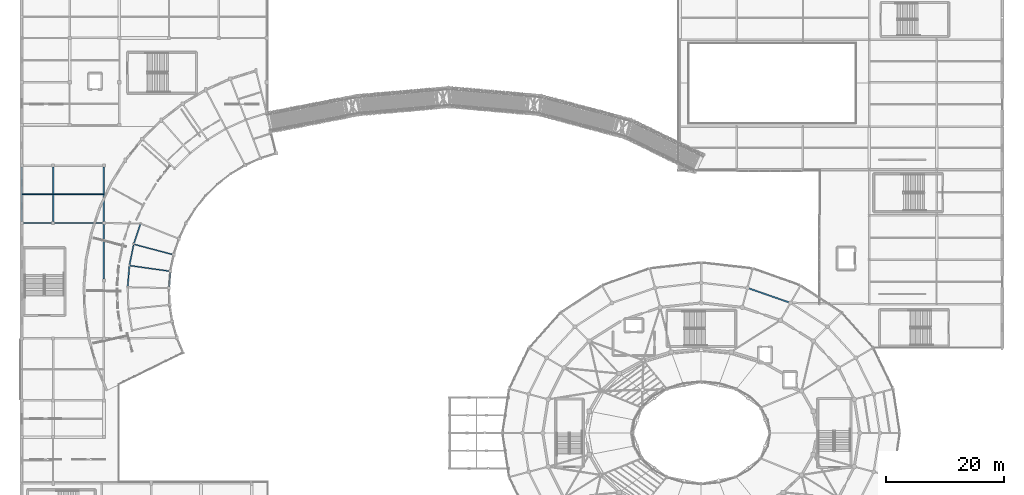
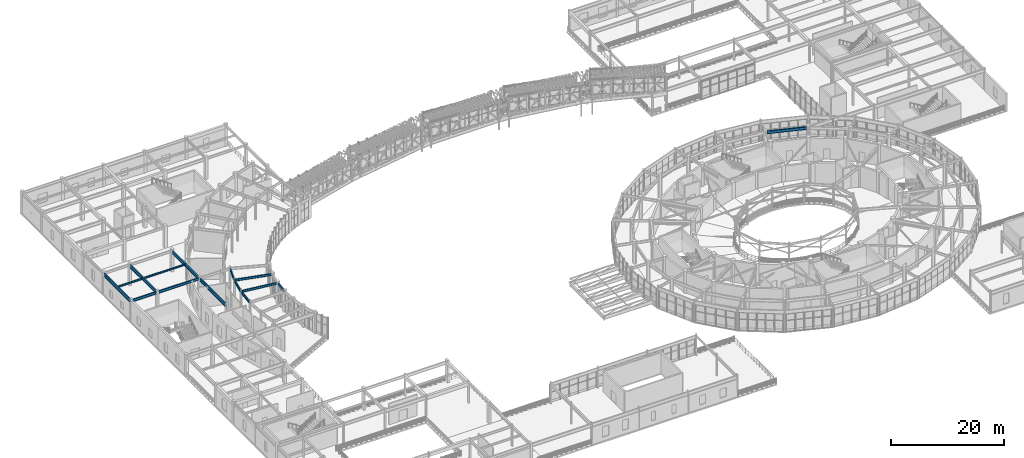
# One storey, part 43 of 144: 15 beams.
"""IFC4 building model written with IfcOpenShell, lengths in metres."""

import ifcopenshell
import ifcopenshell.guid

model = None  # the IFC model being written
_history = None  # IfcOwnerHistory: only IFC2X3 demands one
_inside = {}  # id of a spatial element -> (the spatial element, [elements in it])
_under = {}  # id of a project, library or spatial element -> (it, [spatial elements below it])
_declared = {}  # id of a project -> (the project, [libraries it declares])
_typed = {}  # id of a type object -> (the type object, [elements of that type])
_made_of = {}  # id of a material, layer set ... -> (it, [elements and type objects made of it])


def new_model(schema):
    """Start an empty IFC model of exactly this schema.

    Asked for "IFC4X3", IfcOpenShell would pick the latest addendum, in which some entities
    have other attributes; the version numbers below select the first issue.
    IFC2X3 requires an IfcOwnerHistory on every rooted entity: one is made here for all.
    """
    global model, _history
    if schema == "IFC4X3":
        model = ifcopenshell.file(schema_version=(4, 3, 0, 0))
    else:
        model = ifcopenshell.file(schema=schema)
    _inside.clear()
    _under.clear()
    _declared.clear()
    _typed.clear()
    _made_of.clear()
    _history = None
    if model.schema == "IFC2X3":
        org = make("IfcOrganization", Name="unknown")
        user = make(
            "IfcPersonAndOrganization",
            ThePerson=make("IfcPerson", FamilyName="unknown"),
            TheOrganization=org,
        )
        app = make(
            "IfcApplication",
            ApplicationDeveloper=org,
            Version="unknown",
            ApplicationFullName="unknown",
            ApplicationIdentifier="unknown",
        )
        _history = make(
            "IfcOwnerHistory",
            OwningUser=user,
            OwningApplication=app,
            ChangeAction="ADDED",
            CreationDate=0,
        )
    return model


def make(cls, **values):
    """One entity of the class cls with the attributes given. An attribute that is None is left unset."""
    return model.create_entity(
        cls, **{name: value for name, value in values.items() if value is not None}
    )


def rooted(cls, **values):
    """An entity with a GlobalId (a new one), such as an element, a storey or a relation."""
    return make(cls, GlobalId=ifcopenshell.guid.new(), OwnerHistory=_history, **values)


def si_unit(unit_type, name, prefix=None):
    """IfcSIUnit, for example si_unit("LENGTHUNIT", "METRE", prefix="MILLI")."""
    return make("IfcSIUnit", UnitType=unit_type, Prefix=prefix, Name=name)


def assignment(units):
    """IfcUnitAssignment: the units of a project."""
    return None if units is None else make("IfcUnitAssignment", Units=units)


def point(xyz):
    """IfcCartesianPoint."""
    return None if xyz is None else make("IfcCartesianPoint", Coordinates=xyz)


def direction(xyz):
    """IfcDirection."""
    return None if xyz is None else make("IfcDirection", DirectionRatios=xyz)


def frame(location, z_axis=None, x_axis=None):
    """IfcAxis2Placement3D, a coordinate frame: its origin and axes. An axis left out is left unset."""
    return make(
        "IfcAxis2Placement3D",
        Location=point(location),
        Axis=direction(z_axis),
        RefDirection=direction(x_axis),
    )


def frame_2d(location, x_axis=None):
    """IfcAxis2Placement2D, a coordinate frame in the plane: its origin and x axis."""
    return make(
        "IfcAxis2Placement2D", Location=point(location), RefDirection=direction(x_axis)
    )


def origin():
    """The frame at (0, 0, 0) with its axes left unset."""
    return frame((0.0, 0.0, 0.0))


def origin_2d():
    """The frame at (0, 0) in the plane with its x axis left unset."""
    return frame_2d((0.0, 0.0))


def place(relative_to, where):
    """IfcLocalPlacement: puts the frame where relative to a parent placement (None: the world)."""
    return make(
        "IfcLocalPlacement", PlacementRelTo=relative_to, RelativePlacement=where
    )


def context(
    kind, dimensions, precision=None, world=None, true_north=None, identifier=None
):
    """IfcGeometricRepresentationContext, for example the 3D "Model" context."""
    return make(
        "IfcGeometricRepresentationContext",
        ContextIdentifier=identifier,
        ContextType=kind,
        CoordinateSpaceDimension=dimensions,
        Precision=precision,
        WorldCoordinateSystem=world,
        TrueNorth=true_north,
    )


def subcontext(parent, identifier, kind, view, scale=None):
    """IfcGeometricRepresentationSubContext, for example "Body" below "Model"."""
    return make(
        "IfcGeometricRepresentationSubContext",
        ContextIdentifier=identifier,
        ContextType=kind,
        ParentContext=parent,
        TargetScale=scale,
        TargetView=view,
    )


def project(units=None, contexts=None):
    """IfcProject with its units and contexts."""
    return rooted(
        "IfcProject",
        Name="project",
        RepresentationContexts=contexts,
        UnitsInContext=assignment(units),
    )


def spatial(cls, under=None, at=None, **own):
    """A site, building, storey or space (cls), placed at a placement, below another one or the project."""
    s = rooted(cls, ObjectPlacement=at, **own)
    if under is not None:
        _under.setdefault(under.id(), (under, []))[1].append(s)
    return s


def profile(cls, at=None, kind="AREA", **sizes):
    """A parametric profile (cls). Its sizes go by their IFC names, for example OverallWidth=200.0."""
    return make(cls, ProfileType=kind, Position=at, **sizes)


def rectangle(**sizes):
    """IfcRectangleProfileDef."""
    return profile("IfcRectangleProfileDef", **sizes)


def i_section(**sizes):
    """IfcIShapeProfileDef."""
    return profile("IfcIShapeProfileDef", **sizes)


def extrude(swept, where, along, depth):
    """IfcExtrudedAreaSolid: the profile swept, set in the frame where, extruded along a direction by depth."""
    return make(
        "IfcExtrudedAreaSolid",
        SweptArea=swept,
        Position=where,
        ExtrudedDirection=direction(along),
        Depth=depth,
    )


def shape(context_of_items, identifier, shape_type, items):
    """IfcShapeRepresentation: the items that make up one representation, for example the "Body"."""
    return make(
        "IfcShapeRepresentation",
        ContextOfItems=context_of_items,
        RepresentationIdentifier=identifier,
        RepresentationType=shape_type,
        Items=items,
    )


def material(Name=None, Category=None):
    """IfcMaterial."""
    return make("IfcMaterial", Name=Name, Category=Category)


def material_profile(
    of_material, cross_section, Name=None, Category=None, Priority=None
):
    """IfcMaterialProfile: a cross section and its material."""
    return make(
        "IfcMaterialProfile",
        Name=Name,
        Material=of_material,
        Profile=cross_section,
        Priority=Priority,
        Category=Category,
    )


def profile_set(profiles, Name=None, composite=None):
    """IfcMaterialProfileSet."""
    return make(
        "IfcMaterialProfileSet",
        Name=Name,
        MaterialProfiles=profiles,
        CompositeProfile=composite,
    )


def made_of(thing, what):
    """Note that an element or type object is made of a material, layer set ...; save() writes the relation."""
    if what is not None:
        _made_of.setdefault(what.id(), (what, []))[1].append(thing)
    return thing


def type_object(cls, material=None, **own):
    """A type object (cls), such as IfcWallType, which elements share."""
    return made_of(rooted(cls, **own), material)


def element(
    cls,
    number,
    at=None,
    inside=None,
    cuts=None,
    type_object=None,
    material=None,
    context=None,
    identifier="Body",
    shape_type=None,
    held_by="IfcProductDefinitionShape",
    body=None,
    shapes=None,
    **own,
):
    """One element of the class cls, such as IfcWall. Its Tag is "e" and its number.

    at: its placement. inside: the storey or other place that contains it. cuts: it is an
    opening in that element (IfcRelVoidsElement). A single representation is given by context,
    identifier, shape_type and body (its items); several are given by shapes. held_by: the class
    of the entity that holds the representations. save() writes the other relations.
    """
    e = rooted(cls, Tag="e%d" % number, ObjectPlacement=at, **own)
    if body is not None:
        shapes = [shape(context, identifier, shape_type, body)]
    if shapes is not None:
        e.Representation = make(held_by, Representations=shapes)
    if inside is not None:
        _inside.setdefault(inside.id(), (inside, []))[1].append(e)
    if cuts is not None:
        rooted(
            "IfcRelVoidsElement", RelatingBuildingElement=cuts, RelatedOpeningElement=e
        )
    if type_object is not None:
        _typed.setdefault(type_object.id(), (type_object, []))[1].append(e)
    return made_of(e, material)


def aggregate(whole, parts):
    """IfcRelAggregates: a whole, such as a stair, and the parts it consists of."""
    return rooted("IfcRelAggregates", RelatingObject=whole, RelatedObjects=parts)


def save(model, path):
    """Write the relations noted so far, then the file.

    IfcRelAggregates (storeys below a building ...), IfcRelContainedInSpatialStructure (elements
    in a storey), IfcRelDefinesByType, IfcRelAssociatesMaterial and IfcRelDeclares: one each for
    every whole, place, type object, material and project.
    """
    for whole, parts in _under.values():
        aggregate(whole, parts)
    for where, things in _inside.values():
        rooted(
            "IfcRelContainedInSpatialStructure",
            RelatedElements=things,
            RelatingStructure=where,
        )
    for kind, things in _typed.values():
        rooted("IfcRelDefinesByType", RelatedObjects=things, RelatingType=kind)
    for what, things in _made_of.values():
        rooted("IfcRelAssociatesMaterial", RelatedObjects=things, RelatingMaterial=what)
    for by, libraries in _declared.values():
        rooted("IfcRelDeclares", RelatingContext=by, RelatedDefinitions=libraries)
    model.write(path)


model = new_model("IFC4")

# Units and contexts
model_context = context("Model", 3, precision=1e-05, world=origin(), true_north=direction((0.0, 1.0)))
body_context = subcontext(model_context, "Body", "Model", "MODEL_VIEW")
ifc_project = project(units=[si_unit("LENGTHUNIT", "METRE"), si_unit("AREAUNIT", "SQUARE_METRE"), si_unit("VOLUMEUNIT", "CUBIC_METRE"), si_unit("PLANEANGLEUNIT", "RADIAN"), si_unit("MASSUNIT", "GRAM", prefix="KILO")], contexts=[model_context])

# Site, building, storey
site_placement = place(None, origin())
site = spatial("IfcSite", under=ifc_project, at=site_placement, CompositionType="ELEMENT")
building_placement = place(site_placement, origin())
building = spatial("IfcBuilding", under=site, at=building_placement, Name="Cinderbank Siding Concert Hall", CompositionType="ELEMENT")
storey_placement = place(building_placement, frame((0.0, 0.0, 5.39990234375)))
storey = spatial("IfcBuildingStorey", under=building, at=storey_placement, Name="L02", CompositionType="ELEMENT", Elevation=5.39990234375)

# Beams
ifc_material_1 = material(Name="Structural steel AS/NZS 3679.1 Grade 350 (340 MPa)", Category="steel")
ifc_material_profile_1 = material_profile(ifc_material_1, i_section(OverallWidth=0.18994140625, OverallDepth=0.45751953125, WebThickness=0.009033203125, FlangeThickness=0.014404296875, at=origin_2d()), Name="460UB74.6", Category="LoadBearing")
ifc_profile_set_1 = profile_set([ifc_material_profile_1], Name="Structural steel AS/NZS 3679.1 Grade 350 (340 MPa)")
beam_type_1 = type_object("IfcBeamType", Name="BM-UB460 460UB74.6", PredefinedType="BEAM", material=ifc_profile_set_1)
for number, where, z_axis, x_axis, name in (
    (1, (32.5380859375, 74.198974609375, 4.29345703125), (-0.966824920917, 0.255439958295, 0.0), (-0.255439958295, -0.966824920917, 0.0), "L02 Beam BM-UB460 #966"),
    (2, (31.96923828125, 71.37744140625, 4.29345703125), (-0.990272481241, 0.139141700783, 0.0), (-0.139141700783, -0.990272481241, 0.0), "L02 Beam BM-UB460 #969"),
):
    element("IfcBeam", number, at=place(storey_placement, frame(where, z_axis=z_axis, x_axis=x_axis)), inside=storey, type_object=beam_type_1, Name=name, PredefinedType="BEAM", context=body_context, shape_type="SweptSolid", body=[
        extrude(i_section(OverallWidth=0.18994140625, OverallDepth=0.45751953125, WebThickness=0.009033203125, FlangeThickness=0.014404296875, at=origin_2d()), origin(), (0.0, 0.0, 1.0), 6.613037109375),
    ])
ifc_material_profile_2 = material_profile(ifc_material_1, i_section(OverallWidth=0.208984375, OverallDepth=0.5283203125, WebThickness=0.009521484375, FlangeThickness=0.01318359375, at=origin_2d()), Name="530UB82.0", Category="LoadBearing")
ifc_profile_set_2 = profile_set([ifc_material_profile_2], Name="Structural steel AS/NZS 3679.1 Grade 350 (340 MPa)")
beam_type_2 = type_object("IfcBeamType", Name="BM-UB530 530UB82.0", PredefinedType="BEAM", material=ifc_profile_set_2)
beam_1_placement = place(storey_placement, frame((27.139404296875, 79.2978515625, 4.258056640625), z_axis=(-0.312325465538, -0.949975159452, 0.0), x_axis=(0.949975159452, -0.312325465538, 0.0)))
element("IfcBeam", 3, at=beam_1_placement, inside=storey, type_object=beam_type_2, Name="L02 Beam BM-UB530 #965", PredefinedType="BEAM", context=body_context, shape_type="SweptSolid", body=[
    extrude(i_section(OverallWidth=0.208984375, OverallDepth=0.5283203125, WebThickness=0.009521484375, FlangeThickness=0.01318359375, at=origin_2d()), origin(), (0.0, 0.0, 1.0), 3.43701171875),
])
beam_2_placement = place(storey_placement, frame((26.0048828125, 75.80126953125, 4.258056640625), z_axis=(-0.197673056969, -0.98026800547, 0.0), x_axis=(0.98026800547, -0.197673056969, 0.0)))
element("IfcBeam", 4, at=beam_2_placement, inside=storey, type_object=beam_type_2, Name="L02 Beam BM-UB530 #968", PredefinedType="BEAM", context=body_context, shape_type="SweptSolid", body=[
    extrude(i_section(OverallWidth=0.208984375, OverallDepth=0.5283203125, WebThickness=0.009521484375, FlangeThickness=0.01318359375, at=origin_2d()), origin(), (0.0, 0.0, 1.0), 3.437255859375),
])
beam_3_placement = place(storey_placement, frame((25.2919921875, 72.19482421875, 4.258056640625), z_axis=(-0.080194099058, -0.996779266677, 0.0), x_axis=(0.996779266677, -0.080194099058, 0.0)))
element("IfcBeam", 5, at=beam_3_placement, inside=storey, type_object=beam_type_2, Name="L02 Beam BM-UB530 #971", PredefinedType="BEAM", context=body_context, shape_type="SweptSolid", body=[
    extrude(i_section(OverallWidth=0.208984375, OverallDepth=0.5283203125, WebThickness=0.009521484375, FlangeThickness=0.01318359375, at=origin_2d()), origin(), (0.0, 0.0, 1.0), 3.43701171875),
])
beam_4_placement = place(storey_placement, frame((7.342041015625, 79.5, 4.2880859375), z_axis=(1.0, 0.0, 0.0), x_axis=(0.0, 1.0, 0.0)))
element("IfcBeam", 6, at=beam_4_placement, inside=storey, type_object=beam_type_2, Name="L02 Beam BM-UB530 #1639", PredefinedType="BEAM", context=body_context, shape_type="SweptSolid", body=[
    extrude(i_section(OverallWidth=0.208984375, OverallDepth=0.5283203125, WebThickness=0.009521484375, FlangeThickness=0.01318359375, at=origin_2d()), origin(), (0.0, 0.0, 1.0), 4.81591796875),
])
beam_5_placement = place(storey_placement, frame((12.64208984375, 79.5, 4.258056640625), z_axis=(1.0, 0.0, 0.0), x_axis=(0.0, 1.0, 0.0)))
element("IfcBeam", 7, at=beam_5_placement, inside=storey, type_object=beam_type_2, Name="L02 Beam BM-UB530 #1648", PredefinedType="BEAM", context=body_context, shape_type="SweptSolid", body=[
    extrude(i_section(OverallWidth=0.208984375, OverallDepth=0.5283203125, WebThickness=0.009521484375, FlangeThickness=0.01318359375, at=origin_2d()), origin(), (0.0, 0.0, 1.0), 8.115966796875),
])
ifc_material_profile_3 = material_profile(ifc_material_1, i_section(OverallWidth=0.22802734375, OverallDepth=0.60693359375, WebThickness=0.01123046875, FlangeThickness=0.017333984375, at=origin_2d()), Name="610UB113", Category="LoadBearing")
ifc_profile_set_3 = profile_set([ifc_material_profile_3], Name="Structural steel AS/NZS 3679.1 Grade 350 (340 MPa)")
beam_type_3 = type_object("IfcBeamType", Name="BM-UB610M 610UB113", PredefinedType="BEAM", material=ifc_profile_set_3)
beam_6_placement = place(storey_placement, frame((136.800537109375, 66.101318359375, 4.218505859375), z_axis=(-0.944334299593, 0.328987432301, 0.0), x_axis=(-0.328987432301, -0.944334299593, 0.0)))
element("IfcBeam", 8, at=beam_6_placement, inside=storey, type_object=beam_type_3, Name="L02 Beam BM-UB610M #444", PredefinedType="BEAM", context=body_context, shape_type="SweptSolid", body=[
    extrude(i_section(OverallWidth=0.22802734375, OverallDepth=0.60693359375, WebThickness=0.01123046875, FlangeThickness=0.017333984375, at=origin_2d()), origin(), (0.0, 0.0, 1.0), 7.078857421875),
])
ifc_material_2 = material(Name="Structural steel welded plate section AS/NZS 3679.2 / AS/NZS 3678 Grade 350 (340 MPa)", Category="steel")
ifc_material_profile_4 = material_profile(ifc_material_2, i_section(OverallWidth=0.25, OverallDepth=0.699951171875, WebThickness=0.010009765625, FlangeThickness=0.01611328125, at=origin_2d()), Name="700WB130", Category="LoadBearing")
ifc_profile_set_4 = profile_set([ifc_material_profile_4], Name="Structural steel welded plate section AS/NZS 3679.2 / AS/NZS 3678 Grade 350 (340 MPa)")
beam_type_4 = type_object("IfcBeamType", Name="BM-WB700 700WB130", PredefinedType="BEAM", material=ifc_profile_set_4)
for number, where, z_axis, x_axis, name in (
    (9, (7.10009765625, 79.741943359375, 4.2021484375), (0.0, 1.0, 0.0), (-1.0, 0.0, 0.0), "L02 Beam BM-WB700 #1640"),
    (10, (12.39990234375, 79.741943359375, 4.2021484375), (0.0, 1.0, 0.0), (-1.0, 0.0, 0.0), "L02 Beam BM-WB700 #1649"),
    (11, (21.0, 70.0419921875, 4.172119140625), (0.0, 1.0, 0.0), (-1.0, 0.0, 0.0), "L02 Beam BM-WB700 #1655"),
    (12, (21.0, 79.741943359375, 4.172119140625), (0.0, 1.0, 0.0), (-1.0, 0.0, 0.0), "L02 Beam BM-WB700 #1657"),
):
    element("IfcBeam", number, at=place(storey_placement, frame(where, z_axis=z_axis, x_axis=x_axis)), inside=storey, type_object=beam_type_4, Name=name, PredefinedType="BEAM", context=body_context, shape_type="SweptSolid", body=[
        extrude(i_section(OverallWidth=0.25, OverallDepth=0.699951171875, WebThickness=0.010009765625, FlangeThickness=0.01611328125, at=origin_2d()), origin(), (0.0, 0.0, 1.0), 9.216064453125),
    ])
ifc_material_profile_5 = material_profile(ifc_material_1, i_section(OverallWidth=0.1708984375, OverallDepth=0.35205078125, WebThickness=0.0068359375, FlangeThickness=0.009765625, at=origin_2d()), Name="360UB44.7", Category="LoadBearing")
ifc_profile_set_5 = profile_set([ifc_material_profile_5], Name="Structural steel AS/NZS 3679.1 Grade 350 (340 MPa)")
beam_type_5 = type_object("IfcBeamType", Name="JS-UB360 360UB44.7", PredefinedType="JOIST", material=ifc_profile_set_5)
beam_7_placement = place(storey_placement, frame((7.217041015625, 84.35009765625, 4.3759765625), z_axis=(1.0, 0.0, 0.0), x_axis=(0.0, 1.0, 0.0)))
element("IfcBeam", 13, at=beam_7_placement, inside=storey, type_object=beam_type_5, Name="L02 Beam JS-UB360 #1697", PredefinedType="JOIST", context=body_context, shape_type="SweptSolid", body=[
    extrude(i_section(OverallWidth=0.1708984375, OverallDepth=0.35205078125, WebThickness=0.0068359375, FlangeThickness=0.009765625, at=origin_2d()), origin(), (0.0, 0.0, 1.0), 5.06591796875),
])
beam_8_placement = place(storey_placement, frame((12.51708984375, 84.35009765625, 4.3759765625), z_axis=(1.0, 0.0, 0.0), x_axis=(0.0, 1.0, 0.0)))
element("IfcBeam", 14, at=beam_8_placement, inside=storey, type_object=beam_type_5, Name="L02 Beam JS-UB360 #1700", PredefinedType="JOIST", context=body_context, shape_type="SweptSolid", body=[
    extrude(i_section(OverallWidth=0.1708984375, OverallDepth=0.35205078125, WebThickness=0.0068359375, FlangeThickness=0.009765625, at=origin_2d()), origin(), (0.0, 0.0, 1.0), 8.365966796875),
])
ifc_material_3 = material(Name="Spotted gum glulam timber GL18 (42 MPa)", Category="wood")
ifc_material_profile_6 = material_profile(ifc_material_3, rectangle(XDim=0.215087890625, YDim=0.52001953125, at=origin_2d()), Name="GL18-215x520", Category="LoadBearing")
ifc_profile_set_6 = profile_set([ifc_material_profile_6], Name="Spotted gum glulam timber GL18 (42 MPa)")
beam_type_6 = type_object("IfcBeamType", Name="SP-GL520 GL18-215x520", PredefinedType="SPANDREL", material=ifc_profile_set_6)
beam_9_placement = place(storey_placement, frame((32.212158203125, 71.07421875, 4.26220703125), z_axis=(-0.08022349307, -0.996776901398, 0.0), x_axis=(0.996776901398, -0.08022349307, 0.0)))
element("IfcBeam", 15, at=beam_9_placement, inside=storey, type_object=beam_type_6, Name="L02 Beam SP-GL520 #970", PredefinedType="SPANDREL", context=body_context, shape_type="SweptSolid", body=[
    extrude(rectangle(XDim=0.215087890625, YDim=0.52001953125, at=origin_2d()), origin(), (0.0, 0.0, 1.0), 2.31298828125),
])

save(model, "model.ifc")
